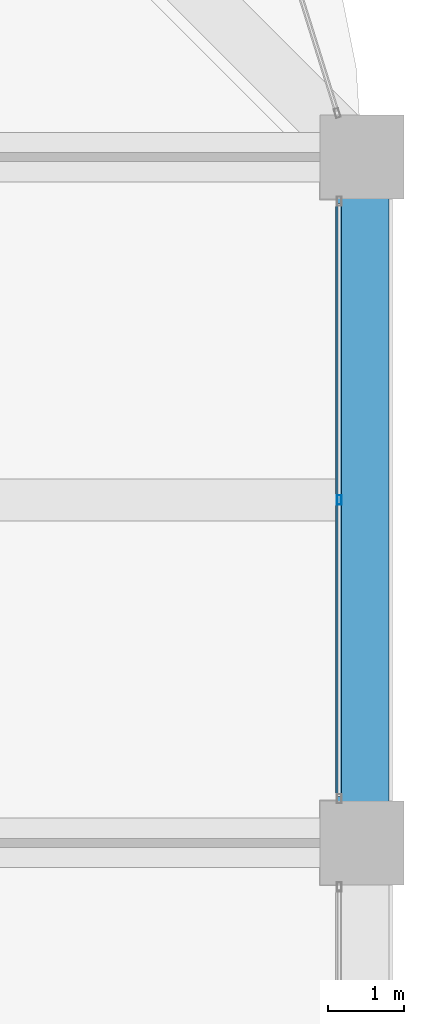
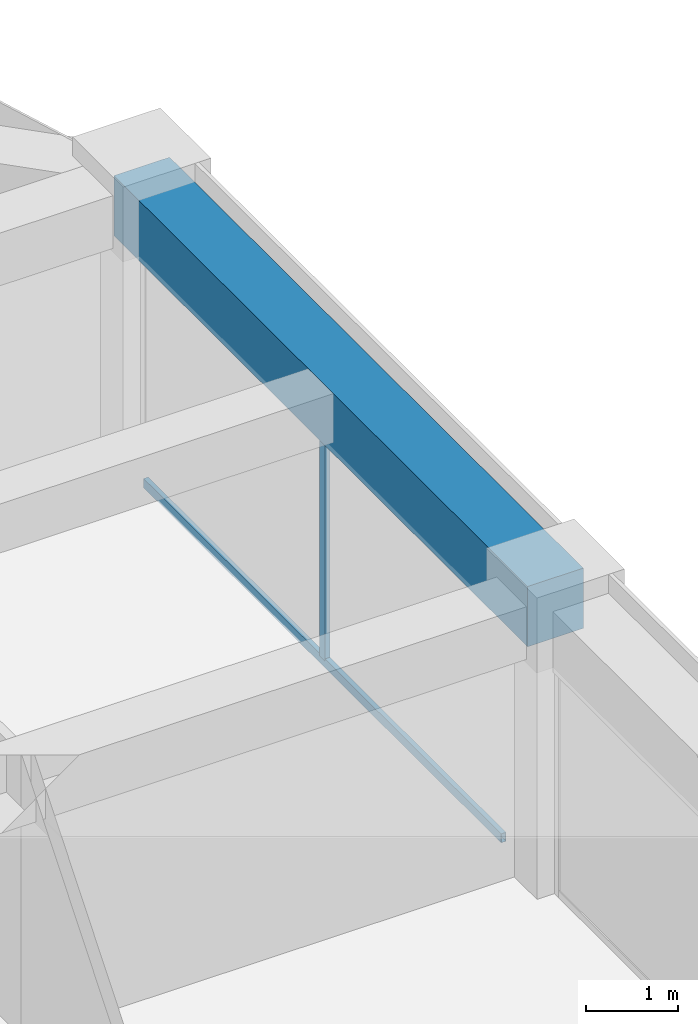
# One storey, part 27 of 44: 2 members, 1 beam, 1 element without a shape of its own.
"""IFC4 building model written with IfcOpenShell, lengths in metres."""

from ifc_helpers import new_model, si_unit, direction, frame, origin, origin_2d, place, context, subcontext, project, spatial, rectangle, hollow_rectangle, extrude, material, material_profile, profile_set, type_object, element, aggregate, save


model = new_model("IFC4")

# Units and contexts
model_context = context("Model", 3, precision=1e-05, world=origin(), true_north=direction((0.0, 1.0)))
body_context = subcontext(model_context, "Body", "Model", "MODEL_VIEW")
ifc_project = project(units=[si_unit("LENGTHUNIT", "METRE"), si_unit("AREAUNIT", "SQUARE_METRE"), si_unit("VOLUMEUNIT", "CUBIC_METRE"), si_unit("PLANEANGLEUNIT", "RADIAN"), si_unit("MASSUNIT", "GRAM", prefix="KILO")], contexts=[model_context])

# Site, building, storey
site_placement = place(None, origin())
site = spatial("IfcSite", under=ifc_project, at=site_placement, CompositionType="ELEMENT")
building_placement = place(site_placement, origin())
building = spatial("IfcBuilding", under=site, at=building_placement, Name="Zorevar Civic Tower", CompositionType="ELEMENT")
storey_placement = place(building_placement, frame((0.0, 0.0, 275.39990234375)))
storey = spatial("IfcBuildingStorey", under=building, at=storey_placement, Name="L67", CompositionType="ELEMENT", Elevation=275.39990234375)

# Curtain wall, members
ifc_material_1 = material(Name="Dark grey solar-control glass in black aluminium frame", Category="aluminium")
curtain_wall_type = type_object("IfcCurtainWallType", Name="Curtain wall CW5 top zone", PredefinedType="NOTDEFINED", material=ifc_material_1)
curtain_wall_placement = place(storey_placement, origin())
curtain_wall = element("IfcCurtainWall", 1, at=curtain_wall_placement, inside=storey, type_object=curtain_wall_type, Name="CW5 L67", PredefinedType="NOTDEFINED")
ifc_material_2 = material(Name="Aluminium, black anodised", Category="aluminium")
ifc_material_profile_1 = material_profile(ifc_material_2, hollow_rectangle(XDim=0.06005859375, YDim=0.1201171875, WallThickness=0.0029296875, at=origin_2d()), Name="AL 120x60x3")
ifc_profile_set_1 = profile_set([ifc_material_profile_1], Name="Aluminium, black anodised")
member_type_1 = type_object("IfcMemberType", Name="CW5 mullion AL 120x60x3", PredefinedType="MULLION", material=ifc_profile_set_1)
member_1_placement = place(storey_placement, frame((53.699951171875, 31.5, 0.06005859375), z_axis=(0.0, 0.0, 1.0), x_axis=(-1.0, 0.0, 0.0)))
member_1 = element("IfcMember", 2, at=member_1_placement, type_object=member_type_1, Name="CW5 mullion 2", PredefinedType="MULLION", context=body_context, shape_type="SweptSolid", body=[
    extrude(hollow_rectangle(XDim=0.06005859375, YDim=0.1201171875, WallThickness=0.0029296875, at=origin_2d()), origin(), (0.0, 0.0, 1.0), 2.89013671875),
])
ifc_material_3 = material(Name="Aluminium, black anodised", Category="aluminium")
ifc_material_profile_2 = material_profile(ifc_material_3, hollow_rectangle(XDim=0.06005859375, YDim=0.1201171875, WallThickness=0.0029296875, at=origin_2d()), Name="AL 120x60x3")
ifc_profile_set_2 = profile_set([ifc_material_profile_2], Name="Aluminium, black anodised")
member_type_2 = type_object("IfcMemberType", Name="CW5 transom AL 120x60x3", PredefinedType="USERDEFINED", material=ifc_profile_set_2)
member_2_placement = place(storey_placement, frame((53.699951171875, 27.610107421875, 0.030029296875), z_axis=(0.0, 1.0, 0.0), x_axis=(-1.0, 0.0, 0.0)))
member_2 = element("IfcMember", 3, at=member_2_placement, type_object=member_type_2, Name="CW5 sill transom", ObjectType="TRANSOM", PredefinedType="USERDEFINED", context=body_context, shape_type="SweptSolid", body=[
    extrude(hollow_rectangle(XDim=0.06005859375, YDim=0.1201171875, WallThickness=0.0029296875, at=origin_2d()), origin(), (0.0, 0.0, 1.0), 7.77978515625),
])
aggregate(curtain_wall, [member_1, member_2])

# Beam
ifc_material_4 = material(Name="Concrete C50/60", Category="concrete")
ifc_material_profile_3 = material_profile(ifc_material_4, rectangle(XDim=0.699951171875, YDim=0.800048828125, at=origin_2d()), Name="RC 700x800")
ifc_profile_set_3 = profile_set([ifc_material_profile_3], Name="Concrete C50/60")
beam_type = type_object("IfcBeamType", Name="Edge beam RC 700x800", PredefinedType="SPANDREL", material=ifc_profile_set_3)
beam_placement = place(storey_placement, frame((54.0, 27.0, 3.35009765625), z_axis=(0.0, 1.0, 0.0), x_axis=(-1.0, 0.0, 0.0)))
element("IfcBeam", 4, at=beam_placement, inside=storey, type_object=beam_type, Name="Edge beam L68", PredefinedType="SPANDREL", context=body_context, shape_type="SweptSolid", body=[
    extrude(rectangle(XDim=0.699951171875, YDim=0.800048828125, at=origin_2d()), origin(), (0.0, 0.0, 1.0), 9.0),
])

save(model, "model.ifc")
